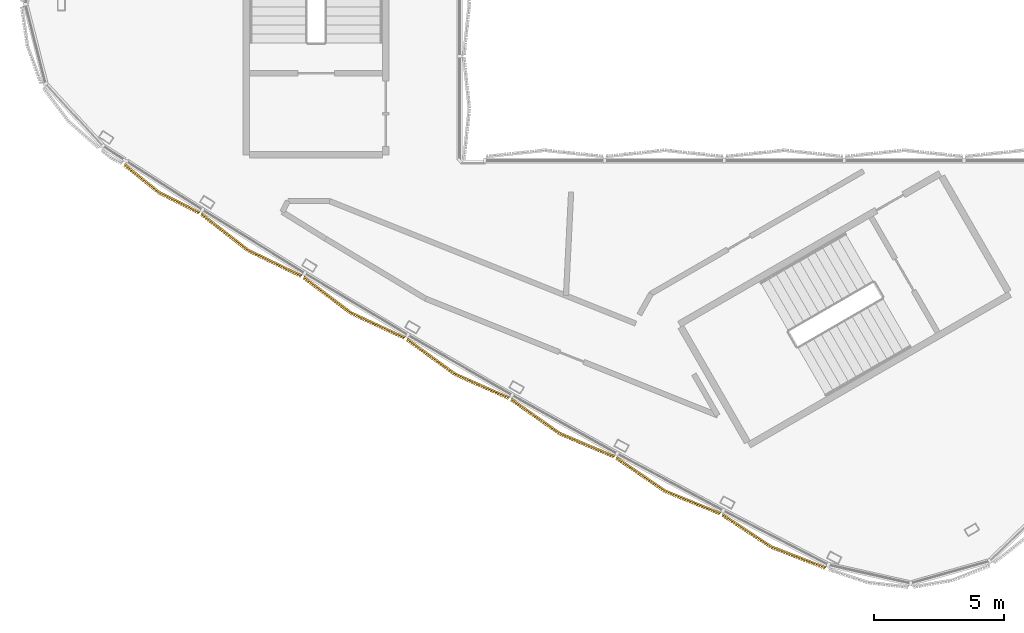
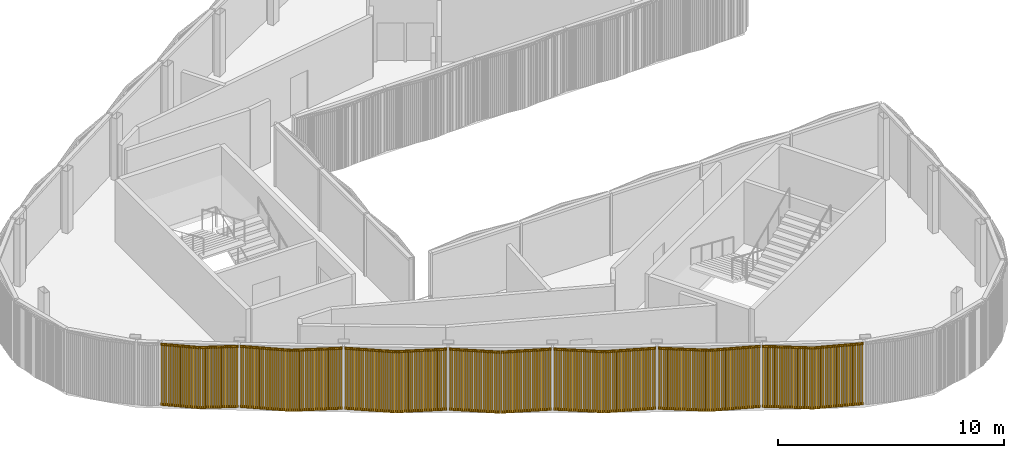
# One storey, part 8 of 16: 7 coverings.
"""IFC4 building model written with IfcOpenShell, lengths in metres."""

from ifc_helpers import new_model, si_unit, direction, frame, frame_2d, origin, place, context, subcontext, project, spatial, rectangle, extrude, source, transform, mapped, material, type_object, element, save


model = new_model("IFC4")

# Units and contexts
model_context = context("Model", 3, precision=1e-05, world=origin(), true_north=direction((0.0, 1.0)))
body_context = subcontext(model_context, "Body", "Model", "MODEL_VIEW")
ifc_project = project(units=[si_unit("LENGTHUNIT", "METRE"), si_unit("AREAUNIT", "SQUARE_METRE"), si_unit("VOLUMEUNIT", "CUBIC_METRE"), si_unit("PLANEANGLEUNIT", "RADIAN"), si_unit("MASSUNIT", "GRAM", prefix="KILO")], contexts=[model_context])

# Site, building, storey
site_placement = place(None, origin())
site = spatial("IfcSite", under=ifc_project, at=site_placement, CompositionType="ELEMENT")
building_placement = place(site_placement, origin())
building = spatial("IfcBuilding", under=site, at=building_placement, Name="Tamra Quay Hotel Tower", CompositionType="ELEMENT")
storey_placement = place(building_placement, frame((0.0, 0.0, 324.199951171875)))
storey = spatial("IfcBuildingStorey", under=building, at=storey_placement, Name="Roof crown 2", CompositionType="ELEMENT", Elevation=324.199951171875)

# Coverings
ifc_material = material(Name="Terracotta baguette extruded", Category="masonry")
covering_type = type_object("IfcCoveringType", Name="BAGUETTE SCREEN CROWN H3350", PredefinedType="USERDEFINED", material=ifc_material)
shared_shape_1 = source(origin(), body_context, "Body", "SweptSolid", [
    extrude(rectangle(XDim=2.244873046875, YDim=0.06005859375, at=frame_2d((1.12255859375, 0.030029296875))), frame((-2.23876953125, -0.0576171875, -0.1201171875), z_axis=(0.0, 0.0, 1.0), x_axis=(0.994521895368, -0.104528463268, 0.0)), (0.0, 0.0, 1.0), 0.1201171875),
    extrude(rectangle(XDim=2.244873046875, YDim=0.06005859375, at=frame_2d((1.12255859375, 0.030029296875))), frame((-2.23876953125, -0.0576171875, -3.35009765625), z_axis=(0.0, 0.0, 1.0), x_axis=(0.994521895368, -0.104528463268, 0.0)), (0.0, 0.0, 1.0), 0.1201171875),
    extrude(rectangle(XDim=0.070068359375, YDim=0.10009765625, at=frame_2d((0.03515625, 0.050048828125))), frame((-2.216796875, -0.13330078125, -3.2900390625)), (0.0, 0.0, 1.0), 3.22998046875),
    extrude(rectangle(XDim=0.070068359375, YDim=0.10009765625, at=frame_2d((0.03515625, 0.050048828125))), frame((-2.115234375, -0.14404296875, -3.2900390625)), (0.0, 0.0, 1.0), 3.22998046875),
    extrude(rectangle(XDim=0.070068359375, YDim=0.10009765625, at=frame_2d((0.03515625, 0.050048828125))), frame((-2.013916015625, -0.154541015625, -3.2900390625)), (0.0, 0.0, 1.0), 3.22998046875),
    extrude(rectangle(XDim=0.070068359375, YDim=0.10009765625, at=frame_2d((0.03515625, 0.050048828125))), frame((-1.912353515625, -0.165283203125, -3.2900390625)), (0.0, 0.0, 1.0), 3.22998046875),
    extrude(rectangle(XDim=0.070068359375, YDim=0.10009765625, at=frame_2d((0.03515625, 0.050048828125))), frame((-1.810791015625, -0.176025390625, -3.2900390625)), (0.0, 0.0, 1.0), 3.22998046875),
    extrude(rectangle(XDim=0.070068359375, YDim=0.10009765625, at=frame_2d((0.03515625, 0.050048828125))), frame((-1.70947265625, -0.186767578125, -3.2900390625)), (0.0, 0.0, 1.0), 3.22998046875),
    extrude(rectangle(XDim=0.070068359375, YDim=0.10009765625, at=frame_2d((0.03515625, 0.050048828125))), frame((-1.60791015625, -0.197265625, -3.2900390625)), (0.0, 0.0, 1.0), 3.22998046875),
    extrude(rectangle(XDim=0.070068359375, YDim=0.10009765625, at=frame_2d((0.03515625, 0.050048828125))), frame((-1.50634765625, -0.2080078125, -3.2900390625)), (0.0, 0.0, 1.0), 3.22998046875),
    extrude(rectangle(XDim=0.070068359375, YDim=0.10009765625, at=frame_2d((0.03515625, 0.050048828125))), frame((-1.405029296875, -0.21875, -3.2900390625)), (0.0, 0.0, 1.0), 3.22998046875),
    extrude(rectangle(XDim=0.070068359375, YDim=0.10009765625, at=frame_2d((0.03515625, 0.050048828125))), frame((-1.303466796875, -0.229248046875, -3.2900390625)), (0.0, 0.0, 1.0), 3.22998046875),
    extrude(rectangle(XDim=0.070068359375, YDim=0.10009765625, at=frame_2d((0.03515625, 0.050048828125))), frame((-1.201904296875, -0.239990234375, -3.2900390625)), (0.0, 0.0, 1.0), 3.22998046875),
    extrude(rectangle(XDim=0.070068359375, YDim=0.10009765625, at=frame_2d((0.03515625, 0.050048828125))), frame((-1.1005859375, -0.250732421875, -3.2900390625)), (0.0, 0.0, 1.0), 3.22998046875),
    extrude(rectangle(XDim=0.070068359375, YDim=0.10009765625, at=frame_2d((0.03515625, 0.050048828125))), frame((-0.9990234375, -0.26123046875, -3.2900390625)), (0.0, 0.0, 1.0), 3.22998046875),
    extrude(rectangle(XDim=0.070068359375, YDim=0.10009765625, at=frame_2d((0.03515625, 0.050048828125))), frame((-0.8974609375, -0.27197265625, -3.2900390625)), (0.0, 0.0, 1.0), 3.22998046875),
    extrude(rectangle(XDim=0.070068359375, YDim=0.10009765625, at=frame_2d((0.03515625, 0.050048828125))), frame((-0.796142578125, -0.28271484375, -3.2900390625)), (0.0, 0.0, 1.0), 3.22998046875),
    extrude(rectangle(XDim=0.070068359375, YDim=0.10009765625, at=frame_2d((0.03515625, 0.050048828125))), frame((-0.694580078125, -0.293212890625, -3.2900390625)), (0.0, 0.0, 1.0), 3.22998046875),
    extrude(rectangle(XDim=0.070068359375, YDim=0.10009765625, at=frame_2d((0.03515625, 0.050048828125))), frame((-0.593017578125, -0.303955078125, -3.2900390625)), (0.0, 0.0, 1.0), 3.22998046875),
    extrude(rectangle(XDim=0.070068359375, YDim=0.10009765625, at=frame_2d((0.03515625, 0.050048828125))), frame((-0.49169921875, -0.314697265625, -3.2900390625)), (0.0, 0.0, 1.0), 3.22998046875),
    extrude(rectangle(XDim=0.070068359375, YDim=0.10009765625, at=frame_2d((0.03515625, 0.050048828125))), frame((-0.39013671875, -0.325439453125, -3.2900390625)), (0.0, 0.0, 1.0), 3.22998046875),
    extrude(rectangle(XDim=0.070068359375, YDim=0.10009765625, at=frame_2d((0.03515625, 0.050048828125))), frame((-0.28857421875, -0.3359375, -3.2900390625)), (0.0, 0.0, 1.0), 3.22998046875),
    extrude(rectangle(XDim=0.070068359375, YDim=0.10009765625, at=frame_2d((0.03515625, 0.050048828125))), frame((-0.187255859375, -0.3466796875, -3.2900390625)), (0.0, 0.0, 1.0), 3.22998046875),
    extrude(rectangle(XDim=0.070068359375, YDim=0.10009765625, at=frame_2d((0.03515625, 0.050048828125))), frame((-0.085693359375, -0.357421875, -3.2900390625)), (0.0, 0.0, 1.0), 3.22998046875),
    extrude(rectangle(XDim=2.244873046875, YDim=0.06005859375, at=frame_2d((1.12255859375, 0.030029296875))), frame((0.00634765625, -0.292236328125, -0.1201171875), z_axis=(0.0, 0.0, 1.0), x_axis=(0.994521895368, 0.104528463268, 0.0)), (0.0, 0.0, 1.0), 0.1201171875),
    extrude(rectangle(XDim=2.244873046875, YDim=0.06005859375, at=frame_2d((1.12255859375, 0.030029296875))), frame((0.00634765625, -0.292236328125, -3.35009765625), z_axis=(0.0, 0.0, 1.0), x_axis=(0.994521895368, 0.104528463268, 0.0)), (0.0, 0.0, 1.0), 0.1201171875),
    extrude(rectangle(XDim=0.070068359375, YDim=0.10009765625, at=frame_2d((0.03515625, 0.050048828125))), frame((0.015625, -0.357421875, -3.2900390625)), (0.0, 0.0, 1.0), 3.22998046875),
    extrude(rectangle(XDim=0.070068359375, YDim=0.10009765625, at=frame_2d((0.03515625, 0.050048828125))), frame((0.1171875, -0.3466796875, -3.2900390625)), (0.0, 0.0, 1.0), 3.22998046875),
    extrude(rectangle(XDim=0.070068359375, YDim=0.10009765625, at=frame_2d((0.03515625, 0.050048828125))), frame((0.21875, -0.3359375, -3.2900390625)), (0.0, 0.0, 1.0), 3.22998046875),
    extrude(rectangle(XDim=0.070068359375, YDim=0.10009765625, at=frame_2d((0.03515625, 0.050048828125))), frame((0.320068359375, -0.325439453125, -3.2900390625)), (0.0, 0.0, 1.0), 3.22998046875),
    extrude(rectangle(XDim=0.070068359375, YDim=0.10009765625, at=frame_2d((0.03515625, 0.050048828125))), frame((0.421630859375, -0.314697265625, -3.2900390625)), (0.0, 0.0, 1.0), 3.22998046875),
    extrude(rectangle(XDim=0.070068359375, YDim=0.10009765625, at=frame_2d((0.03515625, 0.050048828125))), frame((0.523193359375, -0.303955078125, -3.2900390625)), (0.0, 0.0, 1.0), 3.22998046875),
    extrude(rectangle(XDim=0.070068359375, YDim=0.10009765625, at=frame_2d((0.03515625, 0.050048828125))), frame((0.62451171875, -0.293212890625, -3.2900390625)), (0.0, 0.0, 1.0), 3.22998046875),
    extrude(rectangle(XDim=0.070068359375, YDim=0.10009765625, at=frame_2d((0.03515625, 0.050048828125))), frame((0.72607421875, -0.28271484375, -3.2900390625)), (0.0, 0.0, 1.0), 3.22998046875),
    extrude(rectangle(XDim=0.070068359375, YDim=0.10009765625, at=frame_2d((0.03515625, 0.050048828125))), frame((0.82763671875, -0.27197265625, -3.2900390625)), (0.0, 0.0, 1.0), 3.22998046875),
    extrude(rectangle(XDim=0.070068359375, YDim=0.10009765625, at=frame_2d((0.03515625, 0.050048828125))), frame((0.928955078125, -0.26123046875, -3.2900390625)), (0.0, 0.0, 1.0), 3.22998046875),
    extrude(rectangle(XDim=0.070068359375, YDim=0.10009765625, at=frame_2d((0.03515625, 0.050048828125))), frame((1.030517578125, -0.250732421875, -3.2900390625)), (0.0, 0.0, 1.0), 3.22998046875),
    extrude(rectangle(XDim=0.070068359375, YDim=0.10009765625, at=frame_2d((0.03515625, 0.050048828125))), frame((1.132080078125, -0.239990234375, -3.2900390625)), (0.0, 0.0, 1.0), 3.22998046875),
    extrude(rectangle(XDim=0.070068359375, YDim=0.10009765625, at=frame_2d((0.03515625, 0.050048828125))), frame((1.2333984375, -0.229248046875, -3.2900390625)), (0.0, 0.0, 1.0), 3.22998046875),
    extrude(rectangle(XDim=0.070068359375, YDim=0.10009765625, at=frame_2d((0.03515625, 0.050048828125))), frame((1.3349609375, -0.21875, -3.2900390625)), (0.0, 0.0, 1.0), 3.22998046875),
    extrude(rectangle(XDim=0.070068359375, YDim=0.10009765625, at=frame_2d((0.03515625, 0.050048828125))), frame((1.4365234375, -0.2080078125, -3.2900390625)), (0.0, 0.0, 1.0), 3.22998046875),
    extrude(rectangle(XDim=0.070068359375, YDim=0.10009765625, at=frame_2d((0.03515625, 0.050048828125))), frame((1.537841796875, -0.197265625, -3.2900390625)), (0.0, 0.0, 1.0), 3.22998046875),
    extrude(rectangle(XDim=0.070068359375, YDim=0.10009765625, at=frame_2d((0.03515625, 0.050048828125))), frame((1.639404296875, -0.186767578125, -3.2900390625)), (0.0, 0.0, 1.0), 3.22998046875),
    extrude(rectangle(XDim=0.070068359375, YDim=0.10009765625, at=frame_2d((0.03515625, 0.050048828125))), frame((1.740966796875, -0.176025390625, -3.2900390625)), (0.0, 0.0, 1.0), 3.22998046875),
    extrude(rectangle(XDim=0.070068359375, YDim=0.10009765625, at=frame_2d((0.03515625, 0.050048828125))), frame((1.84228515625, -0.165283203125, -3.2900390625)), (0.0, 0.0, 1.0), 3.22998046875),
    extrude(rectangle(XDim=0.070068359375, YDim=0.10009765625, at=frame_2d((0.03515625, 0.050048828125))), frame((1.94384765625, -0.154541015625, -3.2900390625)), (0.0, 0.0, 1.0), 3.22998046875),
    extrude(rectangle(XDim=0.070068359375, YDim=0.10009765625, at=frame_2d((0.03515625, 0.050048828125))), frame((2.045166015625, -0.14404296875, -3.2900390625)), (0.0, 0.0, 1.0), 3.22998046875),
    extrude(rectangle(XDim=0.070068359375, YDim=0.10009765625, at=frame_2d((0.03515625, 0.050048828125))), frame((2.146728515625, -0.13330078125, -3.2900390625)), (0.0, 0.0, 1.0), 3.22998046875),
])
covering_1_placement = place(storey_placement, frame((4.072021484375, -20.548583984375, 3.35009765625), z_axis=(0.0, 0.0, 1.0), x_axis=(0.888486270479, -0.458903200218, 0.0)))
element("IfcCovering", 1, at=covering_1_placement, inside=storey, type_object=covering_type, Name="Baguette screen Roof crown 2.B.f14", ObjectType="BAGUETTE SCREEN", PredefinedType="USERDEFINED", context=body_context, shape_type="MappedRepresentation", body=[
    mapped(shared_shape_1, transform((0.0, 0.0, 0.0), scale=1.0)),
])
shared_shape_2 = source(origin(), body_context, "Body", "SweptSolid", [
    extrude(rectangle(XDim=2.27490234375, YDim=0.06005859375, at=frame_2d((1.137451171875, 0.030029296875))), frame((-2.268798828125, -0.0576171875, -0.1201171875), z_axis=(0.0, 0.0, 1.0), x_axis=(0.994521895368, -0.104528463268, 0.0)), (0.0, 0.0, 1.0), 0.1201171875),
    extrude(rectangle(XDim=2.27490234375, YDim=0.06005859375, at=frame_2d((1.137451171875, 0.030029296875))), frame((-2.268798828125, -0.0576171875, -3.35009765625), z_axis=(0.0, 0.0, 1.0), x_axis=(0.994521895368, -0.104528463268, 0.0)), (0.0, 0.0, 1.0), 0.1201171875),
    extrude(rectangle(XDim=0.070068359375, YDim=0.10009765625, at=frame_2d((0.03515625, 0.050048828125))), frame((-2.248291015625, -0.133056640625, -3.2900390625)), (0.0, 0.0, 1.0), 3.22998046875),
    extrude(rectangle(XDim=0.070068359375, YDim=0.10009765625, at=frame_2d((0.03515625, 0.050048828125))), frame((-2.14990234375, -0.1435546875, -3.2900390625)), (0.0, 0.0, 1.0), 3.22998046875),
    extrude(rectangle(XDim=0.070068359375, YDim=0.10009765625, at=frame_2d((0.03515625, 0.050048828125))), frame((-2.051513671875, -0.15380859375, -3.2900390625)), (0.0, 0.0, 1.0), 3.22998046875),
    extrude(rectangle(XDim=0.070068359375, YDim=0.10009765625, at=frame_2d((0.03515625, 0.050048828125))), frame((-1.953125, -0.164306640625, -3.2900390625)), (0.0, 0.0, 1.0), 3.22998046875),
    extrude(rectangle(XDim=0.070068359375, YDim=0.10009765625, at=frame_2d((0.03515625, 0.050048828125))), frame((-1.854736328125, -0.174560546875, -3.2900390625)), (0.0, 0.0, 1.0), 3.22998046875),
    extrude(rectangle(XDim=0.070068359375, YDim=0.10009765625, at=frame_2d((0.03515625, 0.050048828125))), frame((-1.756591796875, -0.184814453125, -3.2900390625)), (0.0, 0.0, 1.0), 3.22998046875),
    extrude(rectangle(XDim=0.070068359375, YDim=0.10009765625, at=frame_2d((0.03515625, 0.050048828125))), frame((-1.658203125, -0.1953125, -3.2900390625)), (0.0, 0.0, 1.0), 3.22998046875),
    extrude(rectangle(XDim=0.070068359375, YDim=0.10009765625, at=frame_2d((0.03515625, 0.050048828125))), frame((-1.559814453125, -0.20556640625, -3.2900390625)), (0.0, 0.0, 1.0), 3.22998046875),
    extrude(rectangle(XDim=0.070068359375, YDim=0.10009765625, at=frame_2d((0.03515625, 0.050048828125))), frame((-1.46142578125, -0.2158203125, -3.2900390625)), (0.0, 0.0, 1.0), 3.22998046875),
    extrude(rectangle(XDim=0.070068359375, YDim=0.10009765625, at=frame_2d((0.03515625, 0.050048828125))), frame((-1.363037109375, -0.226318359375, -3.2900390625)), (0.0, 0.0, 1.0), 3.22998046875),
    extrude(rectangle(XDim=0.070068359375, YDim=0.10009765625, at=frame_2d((0.03515625, 0.050048828125))), frame((-1.2646484375, -0.236572265625, -3.2900390625)), (0.0, 0.0, 1.0), 3.22998046875),
    extrude(rectangle(XDim=0.070068359375, YDim=0.10009765625, at=frame_2d((0.03515625, 0.050048828125))), frame((-1.166259765625, -0.246826171875, -3.2900390625)), (0.0, 0.0, 1.0), 3.22998046875),
    extrude(rectangle(XDim=0.070068359375, YDim=0.10009765625, at=frame_2d((0.03515625, 0.050048828125))), frame((-1.06787109375, -0.25732421875, -3.2900390625)), (0.0, 0.0, 1.0), 3.22998046875),
    extrude(rectangle(XDim=0.070068359375, YDim=0.10009765625, at=frame_2d((0.03515625, 0.050048828125))), frame((-0.969482421875, -0.267578125, -3.2900390625)), (0.0, 0.0, 1.0), 3.22998046875),
    extrude(rectangle(XDim=0.070068359375, YDim=0.10009765625, at=frame_2d((0.03515625, 0.050048828125))), frame((-0.87109375, -0.27783203125, -3.2900390625)), (0.0, 0.0, 1.0), 3.22998046875),
    extrude(rectangle(XDim=0.070068359375, YDim=0.10009765625, at=frame_2d((0.03515625, 0.050048828125))), frame((-0.772705078125, -0.288330078125, -3.2900390625)), (0.0, 0.0, 1.0), 3.22998046875),
    extrude(rectangle(XDim=0.070068359375, YDim=0.10009765625, at=frame_2d((0.03515625, 0.050048828125))), frame((-0.67431640625, -0.298583984375, -3.2900390625)), (0.0, 0.0, 1.0), 3.22998046875),
    extrude(rectangle(XDim=0.070068359375, YDim=0.10009765625, at=frame_2d((0.03515625, 0.050048828125))), frame((-0.575927734375, -0.308837890625, -3.2900390625)), (0.0, 0.0, 1.0), 3.22998046875),
    extrude(rectangle(XDim=0.070068359375, YDim=0.10009765625, at=frame_2d((0.03515625, 0.050048828125))), frame((-0.4775390625, -0.3193359375, -3.2900390625)), (0.0, 0.0, 1.0), 3.22998046875),
    extrude(rectangle(XDim=0.070068359375, YDim=0.10009765625, at=frame_2d((0.03515625, 0.050048828125))), frame((-0.37939453125, -0.32958984375, -3.2900390625)), (0.0, 0.0, 1.0), 3.22998046875),
    extrude(rectangle(XDim=0.070068359375, YDim=0.10009765625, at=frame_2d((0.03515625, 0.050048828125))), frame((-0.281005859375, -0.33984375, -3.2900390625)), (0.0, 0.0, 1.0), 3.22998046875),
    extrude(rectangle(XDim=0.070068359375, YDim=0.10009765625, at=frame_2d((0.03515625, 0.050048828125))), frame((-0.1826171875, -0.350341796875, -3.2900390625)), (0.0, 0.0, 1.0), 3.22998046875),
    extrude(rectangle(XDim=0.070068359375, YDim=0.10009765625, at=frame_2d((0.03515625, 0.050048828125))), frame((-0.084228515625, -0.360595703125, -3.2900390625)), (0.0, 0.0, 1.0), 3.22998046875),
    extrude(rectangle(XDim=2.27490234375, YDim=0.06005859375, at=frame_2d((1.137451171875, 0.030029296875))), frame((0.00634765625, -0.29541015625, -0.1201171875), z_axis=(0.0, 0.0, 1.0), x_axis=(0.994521895368, 0.104528463268, 0.0)), (0.0, 0.0, 1.0), 0.1201171875),
    extrude(rectangle(XDim=2.27490234375, YDim=0.06005859375, at=frame_2d((1.137451171875, 0.030029296875))), frame((0.00634765625, -0.29541015625, -3.35009765625), z_axis=(0.0, 0.0, 1.0), x_axis=(0.994521895368, 0.104528463268, 0.0)), (0.0, 0.0, 1.0), 0.1201171875),
    extrude(rectangle(XDim=0.070068359375, YDim=0.10009765625, at=frame_2d((0.03515625, 0.050048828125))), frame((0.01416015625, -0.360595703125, -3.2900390625)), (0.0, 0.0, 1.0), 3.22998046875),
    extrude(rectangle(XDim=0.070068359375, YDim=0.10009765625, at=frame_2d((0.03515625, 0.050048828125))), frame((0.112548828125, -0.350341796875, -3.2900390625)), (0.0, 0.0, 1.0), 3.22998046875),
    extrude(rectangle(XDim=0.070068359375, YDim=0.10009765625, at=frame_2d((0.03515625, 0.050048828125))), frame((0.2109375, -0.33984375, -3.2900390625)), (0.0, 0.0, 1.0), 3.22998046875),
    extrude(rectangle(XDim=0.070068359375, YDim=0.10009765625, at=frame_2d((0.03515625, 0.050048828125))), frame((0.309326171875, -0.32958984375, -3.2900390625)), (0.0, 0.0, 1.0), 3.22998046875),
    extrude(rectangle(XDim=0.070068359375, YDim=0.10009765625, at=frame_2d((0.03515625, 0.050048828125))), frame((0.40771484375, -0.3193359375, -3.2900390625)), (0.0, 0.0, 1.0), 3.22998046875),
    extrude(rectangle(XDim=0.070068359375, YDim=0.10009765625, at=frame_2d((0.03515625, 0.050048828125))), frame((0.506103515625, -0.308837890625, -3.2900390625)), (0.0, 0.0, 1.0), 3.22998046875),
    extrude(rectangle(XDim=0.070068359375, YDim=0.10009765625, at=frame_2d((0.03515625, 0.050048828125))), frame((0.6044921875, -0.298583984375, -3.2900390625)), (0.0, 0.0, 1.0), 3.22998046875),
    extrude(rectangle(XDim=0.070068359375, YDim=0.10009765625, at=frame_2d((0.03515625, 0.050048828125))), frame((0.702880859375, -0.288330078125, -3.2900390625)), (0.0, 0.0, 1.0), 3.22998046875),
    extrude(rectangle(XDim=0.070068359375, YDim=0.10009765625, at=frame_2d((0.03515625, 0.050048828125))), frame((0.801025390625, -0.27783203125, -3.2900390625)), (0.0, 0.0, 1.0), 3.22998046875),
    extrude(rectangle(XDim=0.070068359375, YDim=0.10009765625, at=frame_2d((0.03515625, 0.050048828125))), frame((0.8994140625, -0.267578125, -3.2900390625)), (0.0, 0.0, 1.0), 3.22998046875),
    extrude(rectangle(XDim=0.070068359375, YDim=0.10009765625, at=frame_2d((0.03515625, 0.050048828125))), frame((0.997802734375, -0.25732421875, -3.2900390625)), (0.0, 0.0, 1.0), 3.22998046875),
    extrude(rectangle(XDim=0.070068359375, YDim=0.10009765625, at=frame_2d((0.03515625, 0.050048828125))), frame((1.09619140625, -0.246826171875, -3.2900390625)), (0.0, 0.0, 1.0), 3.22998046875),
    extrude(rectangle(XDim=0.070068359375, YDim=0.10009765625, at=frame_2d((0.03515625, 0.050048828125))), frame((1.194580078125, -0.236572265625, -3.2900390625)), (0.0, 0.0, 1.0), 3.22998046875),
    extrude(rectangle(XDim=0.070068359375, YDim=0.10009765625, at=frame_2d((0.03515625, 0.050048828125))), frame((1.29296875, -0.226318359375, -3.2900390625)), (0.0, 0.0, 1.0), 3.22998046875),
    extrude(rectangle(XDim=0.070068359375, YDim=0.10009765625, at=frame_2d((0.03515625, 0.050048828125))), frame((1.391357421875, -0.2158203125, -3.2900390625)), (0.0, 0.0, 1.0), 3.22998046875),
    extrude(rectangle(XDim=0.070068359375, YDim=0.10009765625, at=frame_2d((0.03515625, 0.050048828125))), frame((1.48974609375, -0.20556640625, -3.2900390625)), (0.0, 0.0, 1.0), 3.22998046875),
    extrude(rectangle(XDim=0.070068359375, YDim=0.10009765625, at=frame_2d((0.03515625, 0.050048828125))), frame((1.588134765625, -0.1953125, -3.2900390625)), (0.0, 0.0, 1.0), 3.22998046875),
    extrude(rectangle(XDim=0.070068359375, YDim=0.10009765625, at=frame_2d((0.03515625, 0.050048828125))), frame((1.6865234375, -0.184814453125, -3.2900390625)), (0.0, 0.0, 1.0), 3.22998046875),
    extrude(rectangle(XDim=0.070068359375, YDim=0.10009765625, at=frame_2d((0.03515625, 0.050048828125))), frame((1.784912109375, -0.174560546875, -3.2900390625)), (0.0, 0.0, 1.0), 3.22998046875),
    extrude(rectangle(XDim=0.070068359375, YDim=0.10009765625, at=frame_2d((0.03515625, 0.050048828125))), frame((1.88330078125, -0.164306640625, -3.2900390625)), (0.0, 0.0, 1.0), 3.22998046875),
    extrude(rectangle(XDim=0.070068359375, YDim=0.10009765625, at=frame_2d((0.03515625, 0.050048828125))), frame((1.981689453125, -0.15380859375, -3.2900390625)), (0.0, 0.0, 1.0), 3.22998046875),
    extrude(rectangle(XDim=0.070068359375, YDim=0.10009765625, at=frame_2d((0.03515625, 0.050048828125))), frame((2.079833984375, -0.1435546875, -3.2900390625)), (0.0, 0.0, 1.0), 3.22998046875),
    extrude(rectangle(XDim=0.070068359375, YDim=0.10009765625, at=frame_2d((0.03515625, 0.050048828125))), frame((2.17822265625, -0.133056640625, -3.2900390625)), (0.0, 0.0, 1.0), 3.22998046875),
])
for number, where, z_axis, x_axis, name in (
    (2, (-15.95947265625, -9.189453125, 3.35009765625), (0.0, 0.0, 1.0), (0.849981732244, -0.526812162779, 0.0), "Baguette screen Roof crown 2.B.f09"),
    (3, (-12.018798828125, -11.58935546875, 3.35009765625), (0.0, 0.0, 1.0), (0.858103653871, -0.513476503078, 0.0), "Baguette screen Roof crown 2.B.f10"),
    (4, (-8.041015625, -13.927490234375, 3.35009765625), (0.0, 0.0, 1.0), (0.866025403784, -0.5, 0.0), "Baguette screen Roof crown 2.B.f11"),
    (5, (-4.02734375, -16.203125, 3.35009765625), (0.0, 0.0, 1.0), (0.873735522847, -0.486401311794, 0.0), "Baguette screen Roof crown 2.B.f12"),
    (6, (0.021484375, -18.416015625, 3.35009765625), (0.0, 0.0, 1.0), (0.881223582111, -0.472699691486, 0.0), "Baguette screen Roof crown 2.B.f13"),
):
    element("IfcCovering", number, at=place(storey_placement, frame(where, z_axis=z_axis, x_axis=x_axis)), inside=storey, type_object=covering_type, Name=name, ObjectType="BAGUETTE SCREEN", PredefinedType="USERDEFINED", context=body_context, shape_type="MappedRepresentation", body=[
        mapped(shared_shape_2, transform((0.0, 0.0, 0.0), scale=1.0)),
    ])
shared_shape_3 = source(origin(), body_context, "Body", "SweptSolid", [
    extrude(rectangle(XDim=1.721923828125, YDim=0.06005859375, at=frame_2d((0.86083984375, 0.030029296875))), frame((-1.71875, -0.0576171875, -0.1201171875), z_axis=(0.0, 0.0, 1.0), x_axis=(0.994521895368, -0.104528463268, 0.0)), (0.0, 0.0, 1.0), 0.1201171875),
    extrude(rectangle(XDim=1.721923828125, YDim=0.06005859375, at=frame_2d((0.86083984375, 0.030029296875))), frame((-1.71875, -0.0576171875, -3.35009765625), z_axis=(0.0, 0.0, 1.0), x_axis=(0.994521895368, -0.104528463268, 0.0)), (0.0, 0.0, 1.0), 0.1201171875),
    extrude(rectangle(XDim=0.070068359375, YDim=0.10009765625, at=frame_2d((0.03515625, 0.050048828125))), frame((-1.697021484375, -0.13330078125, -3.2900390625)), (0.0, 0.0, 1.0), 3.22998046875),
    extrude(rectangle(XDim=0.070068359375, YDim=0.10009765625, at=frame_2d((0.03515625, 0.050048828125))), frame((-1.596435546875, -0.143798828125, -3.2900390625)), (0.0, 0.0, 1.0), 3.22998046875),
    extrude(rectangle(XDim=0.070068359375, YDim=0.10009765625, at=frame_2d((0.03515625, 0.050048828125))), frame((-1.49560546875, -0.154541015625, -3.2900390625)), (0.0, 0.0, 1.0), 3.22998046875),
    extrude(rectangle(XDim=0.070068359375, YDim=0.10009765625, at=frame_2d((0.03515625, 0.050048828125))), frame((-1.39501953125, -0.1650390625, -3.2900390625)), (0.0, 0.0, 1.0), 3.22998046875),
    extrude(rectangle(XDim=0.070068359375, YDim=0.10009765625, at=frame_2d((0.03515625, 0.050048828125))), frame((-1.294189453125, -0.175537109375, -3.2900390625)), (0.0, 0.0, 1.0), 3.22998046875),
    extrude(rectangle(XDim=0.070068359375, YDim=0.10009765625, at=frame_2d((0.03515625, 0.050048828125))), frame((-1.193359375, -0.186279296875, -3.2900390625)), (0.0, 0.0, 1.0), 3.22998046875),
    extrude(rectangle(XDim=0.070068359375, YDim=0.10009765625, at=frame_2d((0.03515625, 0.050048828125))), frame((-1.0927734375, -0.19677734375, -3.2900390625)), (0.0, 0.0, 1.0), 3.22998046875),
    extrude(rectangle(XDim=0.070068359375, YDim=0.10009765625, at=frame_2d((0.03515625, 0.050048828125))), frame((-0.991943359375, -0.20751953125, -3.2900390625)), (0.0, 0.0, 1.0), 3.22998046875),
    extrude(rectangle(XDim=0.070068359375, YDim=0.10009765625, at=frame_2d((0.03515625, 0.050048828125))), frame((-0.891357421875, -0.218017578125, -3.2900390625)), (0.0, 0.0, 1.0), 3.22998046875),
    extrude(rectangle(XDim=0.070068359375, YDim=0.10009765625, at=frame_2d((0.03515625, 0.050048828125))), frame((-0.79052734375, -0.228515625, -3.2900390625)), (0.0, 0.0, 1.0), 3.22998046875),
    extrude(rectangle(XDim=0.070068359375, YDim=0.10009765625, at=frame_2d((0.03515625, 0.050048828125))), frame((-0.689697265625, -0.2392578125, -3.2900390625)), (0.0, 0.0, 1.0), 3.22998046875),
    extrude(rectangle(XDim=0.070068359375, YDim=0.10009765625, at=frame_2d((0.03515625, 0.050048828125))), frame((-0.589111328125, -0.249755859375, -3.2900390625)), (0.0, 0.0, 1.0), 3.22998046875),
    extrude(rectangle(XDim=0.070068359375, YDim=0.10009765625, at=frame_2d((0.03515625, 0.050048828125))), frame((-0.48828125, -0.26025390625, -3.2900390625)), (0.0, 0.0, 1.0), 3.22998046875),
    extrude(rectangle(XDim=0.070068359375, YDim=0.10009765625, at=frame_2d((0.03515625, 0.050048828125))), frame((-0.387451171875, -0.27099609375, -3.2900390625)), (0.0, 0.0, 1.0), 3.22998046875),
    extrude(rectangle(XDim=0.070068359375, YDim=0.10009765625, at=frame_2d((0.03515625, 0.050048828125))), frame((-0.286865234375, -0.281494140625, -3.2900390625)), (0.0, 0.0, 1.0), 3.22998046875),
    extrude(rectangle(XDim=0.070068359375, YDim=0.10009765625, at=frame_2d((0.03515625, 0.050048828125))), frame((-0.18603515625, -0.2919921875, -3.2900390625)), (0.0, 0.0, 1.0), 3.22998046875),
    extrude(rectangle(XDim=0.070068359375, YDim=0.10009765625, at=frame_2d((0.03515625, 0.050048828125))), frame((-0.08544921875, -0.302734375, -3.2900390625)), (0.0, 0.0, 1.0), 3.22998046875),
    extrude(rectangle(XDim=1.721923828125, YDim=0.06005859375, at=frame_2d((0.86083984375, 0.030029296875))), frame((0.00634765625, -0.237548828125, -0.1201171875), z_axis=(0.0, 0.0, 1.0), x_axis=(0.994521895368, 0.104528463268, 0.0)), (0.0, 0.0, 1.0), 0.1201171875),
    extrude(rectangle(XDim=1.721923828125, YDim=0.06005859375, at=frame_2d((0.86083984375, 0.030029296875))), frame((0.00634765625, -0.237548828125, -3.35009765625), z_axis=(0.0, 0.0, 1.0), x_axis=(0.994521895368, 0.104528463268, 0.0)), (0.0, 0.0, 1.0), 0.1201171875),
    extrude(rectangle(XDim=0.070068359375, YDim=0.10009765625, at=frame_2d((0.03515625, 0.050048828125))), frame((0.015380859375, -0.302734375, -3.2900390625)), (0.0, 0.0, 1.0), 3.22998046875),
    extrude(rectangle(XDim=0.070068359375, YDim=0.10009765625, at=frame_2d((0.03515625, 0.050048828125))), frame((0.1162109375, -0.2919921875, -3.2900390625)), (0.0, 0.0, 1.0), 3.22998046875),
    extrude(rectangle(XDim=0.070068359375, YDim=0.10009765625, at=frame_2d((0.03515625, 0.050048828125))), frame((0.216796875, -0.281494140625, -3.2900390625)), (0.0, 0.0, 1.0), 3.22998046875),
    extrude(rectangle(XDim=0.070068359375, YDim=0.10009765625, at=frame_2d((0.03515625, 0.050048828125))), frame((0.317626953125, -0.27099609375, -3.2900390625)), (0.0, 0.0, 1.0), 3.22998046875),
    extrude(rectangle(XDim=0.070068359375, YDim=0.10009765625, at=frame_2d((0.03515625, 0.050048828125))), frame((0.418212890625, -0.26025390625, -3.2900390625)), (0.0, 0.0, 1.0), 3.22998046875),
    extrude(rectangle(XDim=0.070068359375, YDim=0.10009765625, at=frame_2d((0.03515625, 0.050048828125))), frame((0.51904296875, -0.249755859375, -3.2900390625)), (0.0, 0.0, 1.0), 3.22998046875),
    extrude(rectangle(XDim=0.070068359375, YDim=0.10009765625, at=frame_2d((0.03515625, 0.050048828125))), frame((0.619873046875, -0.2392578125, -3.2900390625)), (0.0, 0.0, 1.0), 3.22998046875),
    extrude(rectangle(XDim=0.070068359375, YDim=0.10009765625, at=frame_2d((0.03515625, 0.050048828125))), frame((0.720458984375, -0.228515625, -3.2900390625)), (0.0, 0.0, 1.0), 3.22998046875),
    extrude(rectangle(XDim=0.070068359375, YDim=0.10009765625, at=frame_2d((0.03515625, 0.050048828125))), frame((0.8212890625, -0.218017578125, -3.2900390625)), (0.0, 0.0, 1.0), 3.22998046875),
    extrude(rectangle(XDim=0.070068359375, YDim=0.10009765625, at=frame_2d((0.03515625, 0.050048828125))), frame((0.921875, -0.20751953125, -3.2900390625)), (0.0, 0.0, 1.0), 3.22998046875),
    extrude(rectangle(XDim=0.070068359375, YDim=0.10009765625, at=frame_2d((0.03515625, 0.050048828125))), frame((1.022705078125, -0.19677734375, -3.2900390625)), (0.0, 0.0, 1.0), 3.22998046875),
    extrude(rectangle(XDim=0.070068359375, YDim=0.10009765625, at=frame_2d((0.03515625, 0.050048828125))), frame((1.12353515625, -0.186279296875, -3.2900390625)), (0.0, 0.0, 1.0), 3.22998046875),
    extrude(rectangle(XDim=0.070068359375, YDim=0.10009765625, at=frame_2d((0.03515625, 0.050048828125))), frame((1.22412109375, -0.175537109375, -3.2900390625)), (0.0, 0.0, 1.0), 3.22998046875),
    extrude(rectangle(XDim=0.070068359375, YDim=0.10009765625, at=frame_2d((0.03515625, 0.050048828125))), frame((1.324951171875, -0.1650390625, -3.2900390625)), (0.0, 0.0, 1.0), 3.22998046875),
    extrude(rectangle(XDim=0.070068359375, YDim=0.10009765625, at=frame_2d((0.03515625, 0.050048828125))), frame((1.42578125, -0.154541015625, -3.2900390625)), (0.0, 0.0, 1.0), 3.22998046875),
    extrude(rectangle(XDim=0.070068359375, YDim=0.10009765625, at=frame_2d((0.03515625, 0.050048828125))), frame((1.5263671875, -0.143798828125, -3.2900390625)), (0.0, 0.0, 1.0), 3.22998046875),
    extrude(rectangle(XDim=0.070068359375, YDim=0.10009765625, at=frame_2d((0.03515625, 0.050048828125))), frame((1.627197265625, -0.13330078125, -3.2900390625)), (0.0, 0.0, 1.0), 3.22998046875),
])
covering_2_placement = place(storey_placement, frame((-19.394775390625, -7.028076171875, 3.35009765625), z_axis=(0.0, 0.0, 1.0), x_axis=(0.841664964506, -0.54000008104, 0.0)))
element("IfcCovering", 7, at=covering_2_placement, inside=storey, type_object=covering_type, Name="Baguette screen Roof crown 2.B.f08", ObjectType="BAGUETTE SCREEN", PredefinedType="USERDEFINED", context=body_context, shape_type="MappedRepresentation", body=[
    mapped(shared_shape_3, transform((0.0, 0.0, 0.0), scale=1.0)),
])

save(model, "model.ifc")
